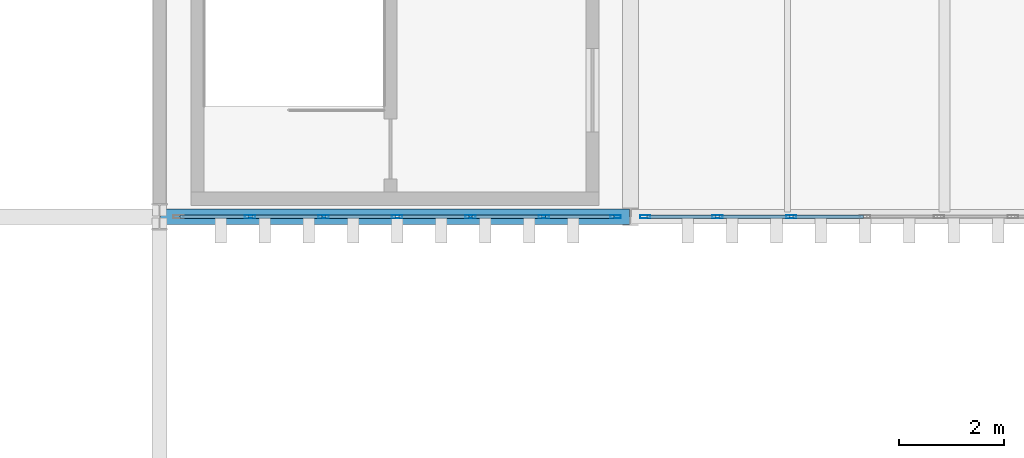
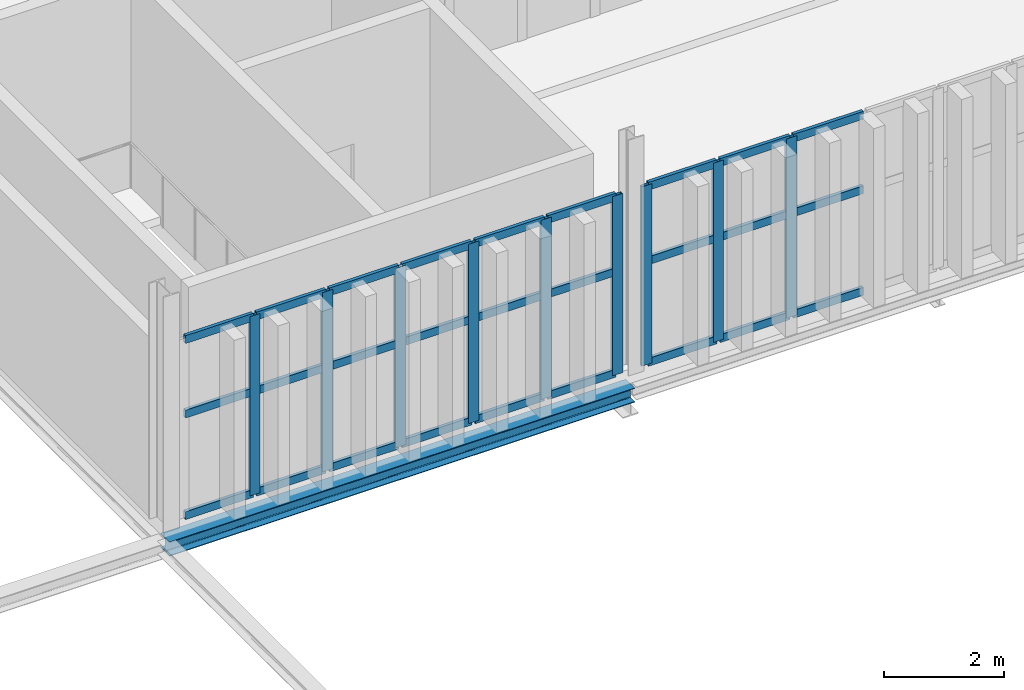
# One storey, part 27 of 196: 36 members, 1 beam, 2 elements without a shape of their own.
"""IFC4 building model written with IfcOpenShell, lengths in metres."""

from ifc_helpers import new_model, si_unit, direction, frame, origin, origin_2d, place, context, subcontext, project, spatial, hollow_rectangle, i_section, extrude, material, layer, layer_set, material_profile, profile_set, type_object, element, aggregate, save


model = new_model("IFC4")

# Units and contexts
model_context = context("Model", 3, precision=1e-05, world=origin(), true_north=direction((0.0, 1.0)))
body_context = subcontext(model_context, "Body", "Model", "MODEL_VIEW")
ifc_project = project(units=[si_unit("LENGTHUNIT", "METRE"), si_unit("AREAUNIT", "SQUARE_METRE"), si_unit("VOLUMEUNIT", "CUBIC_METRE"), si_unit("PLANEANGLEUNIT", "RADIAN"), si_unit("MASSUNIT", "GRAM", prefix="KILO")], contexts=[model_context])

# Site, building, storey
site_placement = place(None, origin())
site = spatial("IfcSite", under=ifc_project, at=site_placement, CompositionType="ELEMENT")
building_placement = place(site_placement, origin())
building = spatial("IfcBuilding", under=site, at=building_placement, Name="Barlavento Convention Centre", CompositionType="ELEMENT")
storey_placement = place(building_placement, frame((0.0, 0.0, 18.0)))
storey = spatial("IfcBuildingStorey", under=building, at=storey_placement, Name="L03", CompositionType="ELEMENT", Elevation=18.0)

# Curtain wall, members
ifc_material_1 = material(Name="Powder-coated aluminium and Low-E glass", Category="aluminium")
ifc_layer = layer(ifc_material_1, 0.179931640625)
ifc_layer_set = layer_set([ifc_layer], Name="ARC-CW-CONF-L03")
curtain_wall_type = type_object("IfcCurtainWallType", Name="ARC-CW-CONF-L03", PredefinedType="NOTDEFINED", material=ifc_layer_set)
curtain_wall_1_placement = place(storey_placement, origin())
curtain_wall_1 = element("IfcCurtainWall", 1, at=curtain_wall_1_placement, inside=storey, type_object=curtain_wall_type, Name="L03 unitised curtain wall CW08", PredefinedType="NOTDEFINED")
ifc_material_2 = material(Name="Powder-coated aluminium", Category="aluminium")
ifc_material_profile_1 = material_profile(ifc_material_2, hollow_rectangle(XDim=0.06494140625, YDim=0.199951171875, WallThickness=0.0048828125, at=origin_2d()), Name="AL-MULL 65x200x5")
ifc_profile_set_1 = profile_set([ifc_material_profile_1], Name="Powder-coated aluminium")
member_type_1 = type_object("IfcMemberType", Name="ARC-CWM-65X200", PredefinedType="MULLION", material=ifc_profile_set_1)
member_1_placement = place(storey_placement, frame((64.7333984375, 45.0, 0.0), z_axis=(0.0, 0.0, 1.0), x_axis=(0.0, 1.0, 0.0)))
member_1 = element("IfcMember", 2, at=member_1_placement, type_object=member_type_1, Name="CW08 mullion 2", PredefinedType="MULLION", context=body_context, shape_type="SweptSolid", body=[
    extrude(hollow_rectangle(XDim=0.06494140625, YDim=0.199951171875, WallThickness=0.0048828125, at=origin_2d()), origin(), (0.0, 0.0, 1.0), 3.64990234375),
])
member_2_placement = place(storey_placement, frame((66.13671875, 45.0, 0.0), z_axis=(0.0, 0.0, 1.0), x_axis=(0.0, 1.0, 0.0)))
member_2 = element("IfcMember", 3, at=member_2_placement, type_object=member_type_1, Name="CW08 mullion 3", PredefinedType="MULLION", context=body_context, shape_type="SweptSolid", body=[
    extrude(hollow_rectangle(XDim=0.06494140625, YDim=0.199951171875, WallThickness=0.0048828125, at=origin_2d()), origin(), (0.0, 0.0, 1.0), 3.64990234375),
])
member_3_placement = place(storey_placement, frame((67.5400390625, 45.0, 0.0), z_axis=(0.0, 0.0, 1.0), x_axis=(0.0, 1.0, 0.0)))
member_3 = element("IfcMember", 4, at=member_3_placement, type_object=member_type_1, Name="CW08 mullion 4", PredefinedType="MULLION", context=body_context, shape_type="SweptSolid", body=[
    extrude(hollow_rectangle(XDim=0.06494140625, YDim=0.199951171875, WallThickness=0.0048828125, at=origin_2d()), origin(), (0.0, 0.0, 1.0), 3.64990234375),
])
member_4_placement = place(storey_placement, frame((68.943359375, 45.0, 0.0), z_axis=(0.0, 0.0, 1.0), x_axis=(0.0, 1.0, 0.0)))
member_4 = element("IfcMember", 5, at=member_4_placement, type_object=member_type_1, Name="CW08 mullion 5", PredefinedType="MULLION", context=body_context, shape_type="SweptSolid", body=[
    extrude(hollow_rectangle(XDim=0.06494140625, YDim=0.199951171875, WallThickness=0.0048828125, at=origin_2d()), origin(), (0.0, 0.0, 1.0), 3.64990234375),
])
member_5_placement = place(storey_placement, frame((70.3466796875, 45.0, 0.0), z_axis=(0.0, 0.0, 1.0), x_axis=(0.0, 1.0, 0.0)))
member_5 = element("IfcMember", 6, at=member_5_placement, type_object=member_type_1, Name="CW08 mullion 6", PredefinedType="MULLION", context=body_context, shape_type="SweptSolid", body=[
    extrude(hollow_rectangle(XDim=0.06494140625, YDim=0.199951171875, WallThickness=0.0048828125, at=origin_2d()), origin(), (0.0, 0.0, 1.0), 3.64990234375),
])
member_6_placement = place(storey_placement, frame((71.717529296875, 45.0, 0.0), z_axis=(0.0, 0.0, 1.0), x_axis=(0.0, 1.0, 0.0)))
member_6 = element("IfcMember", 7, at=member_6_placement, type_object=member_type_1, Name="CW08 mullion 7", PredefinedType="MULLION", context=body_context, shape_type="SweptSolid", body=[
    extrude(hollow_rectangle(XDim=0.06494140625, YDim=0.199951171875, WallThickness=0.0048828125, at=origin_2d()), origin(), (0.0, 0.0, 1.0), 3.64990234375),
])

curtain_wall_2_placement = place(storey_placement, origin())
curtain_wall_2 = element("IfcCurtainWall", 8, at=curtain_wall_2_placement, inside=storey, type_object=curtain_wall_type, Name="L03 unitised curtain wall CW08", PredefinedType="NOTDEFINED")
member_7_placement = place(storey_placement, frame((72.282470703125, 45.0, 0.0), z_axis=(0.0, 0.0, 1.0), x_axis=(0.0, 1.0, 0.0)))
member_7 = element("IfcMember", 9, at=member_7_placement, type_object=member_type_1, Name="CW08 mullion 1", PredefinedType="MULLION", context=body_context, shape_type="SweptSolid", body=[
    extrude(hollow_rectangle(XDim=0.06494140625, YDim=0.199951171875, WallThickness=0.0048828125, at=origin_2d()), origin(), (0.0, 0.0, 1.0), 3.64990234375),
])
member_8_placement = place(storey_placement, frame((73.66162109375, 45.0, 0.0), z_axis=(0.0, 0.0, 1.0), x_axis=(0.0, 1.0, 0.0)))
member_8 = element("IfcMember", 10, at=member_8_placement, type_object=member_type_1, Name="CW08 mullion 2", PredefinedType="MULLION", context=body_context, shape_type="SweptSolid", body=[
    extrude(hollow_rectangle(XDim=0.06494140625, YDim=0.199951171875, WallThickness=0.0048828125, at=origin_2d()), origin(), (0.0, 0.0, 1.0), 3.64990234375),
])
member_9_placement = place(storey_placement, frame((75.0732421875, 45.0, 0.0), z_axis=(0.0, 0.0, 1.0), x_axis=(0.0, 1.0, 0.0)))
member_9 = element("IfcMember", 11, at=member_9_placement, type_object=member_type_1, Name="CW08 mullion 3", PredefinedType="MULLION", context=body_context, shape_type="SweptSolid", body=[
    extrude(hollow_rectangle(XDim=0.06494140625, YDim=0.199951171875, WallThickness=0.0048828125, at=origin_2d()), origin(), (0.0, 0.0, 1.0), 3.64990234375),
])

# Member
ifc_material_profile_2 = material_profile(ifc_material_2, hollow_rectangle(XDim=0.06494140625, YDim=0.159912109375, WallThickness=0.0048828125, at=origin_2d()), Name="AL-TRAN 65x160x5")
ifc_profile_set_2 = profile_set([ifc_material_profile_2], Name="Powder-coated aluminium")
member_type_2 = type_object("IfcMemberType", Name="ARC-CWT-65X160", PredefinedType="USERDEFINED", material=ifc_profile_set_2)
member_10_placement = place(storey_placement, frame((63.39501953125, 45.0, 0.032470703125), z_axis=(1.0, 0.0, 0.0), x_axis=(0.0, 1.0, 0.0)))
member_10 = element("IfcMember", 12, at=member_10_placement, type_object=member_type_2, Name="CW08 transom 1.1", ObjectType="TRANSOM", PredefinedType="USERDEFINED", context=body_context, shape_type="SweptSolid", body=[
    extrude(hollow_rectangle(XDim=0.06494140625, YDim=0.159912109375, WallThickness=0.0048828125, at=origin_2d()), origin(), (0.0, 0.0, 1.0), 1.305908203125),
])

member_11_placement = place(storey_placement, frame((63.39501953125, 45.0, 2.10009765625), z_axis=(1.0, 0.0, 0.0), x_axis=(0.0, 1.0, 0.0)))
member_11 = element("IfcMember", 13, at=member_11_placement, type_object=member_type_2, Name="CW08 transom 1.2", ObjectType="TRANSOM", PredefinedType="USERDEFINED", context=body_context, shape_type="SweptSolid", body=[
    extrude(hollow_rectangle(XDim=0.06494140625, YDim=0.159912109375, WallThickness=0.0048828125, at=origin_2d()), origin(), (0.0, 0.0, 1.0), 1.305908203125),
])

member_12_placement = place(storey_placement, frame((63.39501953125, 45.0, 3.617431640625), z_axis=(1.0, 0.0, 0.0), x_axis=(0.0, 1.0, 0.0)))
member_12 = element("IfcMember", 14, at=member_12_placement, type_object=member_type_2, Name="CW08 transom 1.3", ObjectType="TRANSOM", PredefinedType="USERDEFINED", context=body_context, shape_type="SweptSolid", body=[
    extrude(hollow_rectangle(XDim=0.06494140625, YDim=0.159912109375, WallThickness=0.0048828125, at=origin_2d()), origin(), (0.0, 0.0, 1.0), 1.305908203125),
])

member_13_placement = place(storey_placement, frame((64.765869140625, 45.0, 0.032470703125), z_axis=(1.0, 0.0, 0.0), x_axis=(0.0, 1.0, 0.0)))
member_13 = element("IfcMember", 15, at=member_13_placement, type_object=member_type_2, Name="CW08 transom 2.1", ObjectType="TRANSOM", PredefinedType="USERDEFINED", context=body_context, shape_type="SweptSolid", body=[
    extrude(hollow_rectangle(XDim=0.06494140625, YDim=0.159912109375, WallThickness=0.0048828125, at=origin_2d()), origin(), (0.0, 0.0, 1.0), 1.33837890625),
])

member_14_placement = place(storey_placement, frame((64.765869140625, 45.0, 2.10009765625), z_axis=(1.0, 0.0, 0.0), x_axis=(0.0, 1.0, 0.0)))
member_14 = element("IfcMember", 16, at=member_14_placement, type_object=member_type_2, Name="CW08 transom 2.2", ObjectType="TRANSOM", PredefinedType="USERDEFINED", context=body_context, shape_type="SweptSolid", body=[
    extrude(hollow_rectangle(XDim=0.06494140625, YDim=0.159912109375, WallThickness=0.0048828125, at=origin_2d()), origin(), (0.0, 0.0, 1.0), 1.33837890625),
])

member_15_placement = place(storey_placement, frame((64.765869140625, 45.0, 3.617431640625), z_axis=(1.0, 0.0, 0.0), x_axis=(0.0, 1.0, 0.0)))
member_15 = element("IfcMember", 17, at=member_15_placement, type_object=member_type_2, Name="CW08 transom 2.3", ObjectType="TRANSOM", PredefinedType="USERDEFINED", context=body_context, shape_type="SweptSolid", body=[
    extrude(hollow_rectangle(XDim=0.06494140625, YDim=0.159912109375, WallThickness=0.0048828125, at=origin_2d()), origin(), (0.0, 0.0, 1.0), 1.33837890625),
])

member_16_placement = place(storey_placement, frame((66.169189453125, 45.0, 0.032470703125), z_axis=(1.0, 0.0, 0.0), x_axis=(0.0, 1.0, 0.0)))
member_16 = element("IfcMember", 18, at=member_16_placement, type_object=member_type_2, Name="CW08 transom 3.1", ObjectType="TRANSOM", PredefinedType="USERDEFINED", context=body_context, shape_type="SweptSolid", body=[
    extrude(hollow_rectangle(XDim=0.06494140625, YDim=0.159912109375, WallThickness=0.0048828125, at=origin_2d()), origin(), (0.0, 0.0, 1.0), 1.33837890625),
])

member_17_placement = place(storey_placement, frame((66.169189453125, 45.0, 2.10009765625), z_axis=(1.0, 0.0, 0.0), x_axis=(0.0, 1.0, 0.0)))
member_17 = element("IfcMember", 19, at=member_17_placement, type_object=member_type_2, Name="CW08 transom 3.2", ObjectType="TRANSOM", PredefinedType="USERDEFINED", context=body_context, shape_type="SweptSolid", body=[
    extrude(hollow_rectangle(XDim=0.06494140625, YDim=0.159912109375, WallThickness=0.0048828125, at=origin_2d()), origin(), (0.0, 0.0, 1.0), 1.33837890625),
])

member_18_placement = place(storey_placement, frame((66.169189453125, 45.0, 3.617431640625), z_axis=(1.0, 0.0, 0.0), x_axis=(0.0, 1.0, 0.0)))
member_18 = element("IfcMember", 20, at=member_18_placement, type_object=member_type_2, Name="CW08 transom 3.3", ObjectType="TRANSOM", PredefinedType="USERDEFINED", context=body_context, shape_type="SweptSolid", body=[
    extrude(hollow_rectangle(XDim=0.06494140625, YDim=0.159912109375, WallThickness=0.0048828125, at=origin_2d()), origin(), (0.0, 0.0, 1.0), 1.33837890625),
])

member_19_placement = place(storey_placement, frame((67.572509765625, 45.0, 0.032470703125), z_axis=(1.0, 0.0, 0.0), x_axis=(0.0, 1.0, 0.0)))
member_19 = element("IfcMember", 21, at=member_19_placement, type_object=member_type_2, Name="CW08 transom 4.1", ObjectType="TRANSOM", PredefinedType="USERDEFINED", context=body_context, shape_type="SweptSolid", body=[
    extrude(hollow_rectangle(XDim=0.06494140625, YDim=0.159912109375, WallThickness=0.0048828125, at=origin_2d()), origin(), (0.0, 0.0, 1.0), 1.33837890625),
])

member_20_placement = place(storey_placement, frame((67.572509765625, 45.0, 2.10009765625), z_axis=(1.0, 0.0, 0.0), x_axis=(0.0, 1.0, 0.0)))
member_20 = element("IfcMember", 22, at=member_20_placement, type_object=member_type_2, Name="CW08 transom 4.2", ObjectType="TRANSOM", PredefinedType="USERDEFINED", context=body_context, shape_type="SweptSolid", body=[
    extrude(hollow_rectangle(XDim=0.06494140625, YDim=0.159912109375, WallThickness=0.0048828125, at=origin_2d()), origin(), (0.0, 0.0, 1.0), 1.33837890625),
])

member_21_placement = place(storey_placement, frame((67.572509765625, 45.0, 3.617431640625), z_axis=(1.0, 0.0, 0.0), x_axis=(0.0, 1.0, 0.0)))
member_21 = element("IfcMember", 23, at=member_21_placement, type_object=member_type_2, Name="CW08 transom 4.3", ObjectType="TRANSOM", PredefinedType="USERDEFINED", context=body_context, shape_type="SweptSolid", body=[
    extrude(hollow_rectangle(XDim=0.06494140625, YDim=0.159912109375, WallThickness=0.0048828125, at=origin_2d()), origin(), (0.0, 0.0, 1.0), 1.33837890625),
])

member_22_placement = place(storey_placement, frame((68.975830078125, 45.0, 0.032470703125), z_axis=(1.0, 0.0, 0.0), x_axis=(0.0, 1.0, 0.0)))
member_22 = element("IfcMember", 24, at=member_22_placement, type_object=member_type_2, Name="CW08 transom 5.1", ObjectType="TRANSOM", PredefinedType="USERDEFINED", context=body_context, shape_type="SweptSolid", body=[
    extrude(hollow_rectangle(XDim=0.06494140625, YDim=0.159912109375, WallThickness=0.0048828125, at=origin_2d()), origin(), (0.0, 0.0, 1.0), 1.33837890625),
])

member_23_placement = place(storey_placement, frame((68.975830078125, 45.0, 2.10009765625), z_axis=(1.0, 0.0, 0.0), x_axis=(0.0, 1.0, 0.0)))
member_23 = element("IfcMember", 25, at=member_23_placement, type_object=member_type_2, Name="CW08 transom 5.2", ObjectType="TRANSOM", PredefinedType="USERDEFINED", context=body_context, shape_type="SweptSolid", body=[
    extrude(hollow_rectangle(XDim=0.06494140625, YDim=0.159912109375, WallThickness=0.0048828125, at=origin_2d()), origin(), (0.0, 0.0, 1.0), 1.33837890625),
])

member_24_placement = place(storey_placement, frame((68.975830078125, 45.0, 3.617431640625), z_axis=(1.0, 0.0, 0.0), x_axis=(0.0, 1.0, 0.0)))
member_24 = element("IfcMember", 26, at=member_24_placement, type_object=member_type_2, Name="CW08 transom 5.3", ObjectType="TRANSOM", PredefinedType="USERDEFINED", context=body_context, shape_type="SweptSolid", body=[
    extrude(hollow_rectangle(XDim=0.06494140625, YDim=0.159912109375, WallThickness=0.0048828125, at=origin_2d()), origin(), (0.0, 0.0, 1.0), 1.33837890625),
])

member_25_placement = place(storey_placement, frame((70.379150390625, 45.0, 0.032470703125), z_axis=(1.0, 0.0, 0.0), x_axis=(0.0, 1.0, 0.0)))
member_25 = element("IfcMember", 27, at=member_25_placement, type_object=member_type_2, Name="CW08 transom 6.1", ObjectType="TRANSOM", PredefinedType="USERDEFINED", context=body_context, shape_type="SweptSolid", body=[
    extrude(hollow_rectangle(XDim=0.06494140625, YDim=0.159912109375, WallThickness=0.0048828125, at=origin_2d()), origin(), (0.0, 0.0, 1.0), 1.305908203125),
])

member_26_placement = place(storey_placement, frame((70.379150390625, 45.0, 2.10009765625), z_axis=(1.0, 0.0, 0.0), x_axis=(0.0, 1.0, 0.0)))
member_26 = element("IfcMember", 28, at=member_26_placement, type_object=member_type_2, Name="CW08 transom 6.2", ObjectType="TRANSOM", PredefinedType="USERDEFINED", context=body_context, shape_type="SweptSolid", body=[
    extrude(hollow_rectangle(XDim=0.06494140625, YDim=0.159912109375, WallThickness=0.0048828125, at=origin_2d()), origin(), (0.0, 0.0, 1.0), 1.305908203125),
])

member_27_placement = place(storey_placement, frame((70.379150390625, 45.0, 3.617431640625), z_axis=(1.0, 0.0, 0.0), x_axis=(0.0, 1.0, 0.0)))
member_27 = element("IfcMember", 29, at=member_27_placement, type_object=member_type_2, Name="CW08 transom 6.3", ObjectType="TRANSOM", PredefinedType="USERDEFINED", context=body_context, shape_type="SweptSolid", body=[
    extrude(hollow_rectangle(XDim=0.06494140625, YDim=0.159912109375, WallThickness=0.0048828125, at=origin_2d()), origin(), (0.0, 0.0, 1.0), 1.305908203125),
])

aggregate(curtain_wall_1, [member_1, member_2, member_3, member_4, member_5, member_6, member_10, member_11, member_12, member_13, member_14, member_15, member_16, member_17, member_18, member_19, member_20, member_21, member_22, member_23, member_24, member_25, member_26, member_27])

member_28_placement = place(storey_placement, frame((72.31494140625, 45.0, 0.032470703125), z_axis=(1.0, 0.0, 0.0), x_axis=(0.0, 1.0, 0.0)))
member_28 = element("IfcMember", 30, at=member_28_placement, type_object=member_type_2, Name="CW08 transom 1.1", ObjectType="TRANSOM", PredefinedType="USERDEFINED", context=body_context, shape_type="SweptSolid", body=[
    extrude(hollow_rectangle(XDim=0.06494140625, YDim=0.159912109375, WallThickness=0.0048828125, at=origin_2d()), origin(), (0.0, 0.0, 1.0), 1.314208984375),
])

member_29_placement = place(storey_placement, frame((72.31494140625, 45.0, 2.10009765625), z_axis=(1.0, 0.0, 0.0), x_axis=(0.0, 1.0, 0.0)))
member_29 = element("IfcMember", 31, at=member_29_placement, type_object=member_type_2, Name="CW08 transom 1.2", ObjectType="TRANSOM", PredefinedType="USERDEFINED", context=body_context, shape_type="SweptSolid", body=[
    extrude(hollow_rectangle(XDim=0.06494140625, YDim=0.159912109375, WallThickness=0.0048828125, at=origin_2d()), origin(), (0.0, 0.0, 1.0), 1.314208984375),
])

member_30_placement = place(storey_placement, frame((72.31494140625, 45.0, 3.617431640625), z_axis=(1.0, 0.0, 0.0), x_axis=(0.0, 1.0, 0.0)))
member_30 = element("IfcMember", 32, at=member_30_placement, type_object=member_type_2, Name="CW08 transom 1.3", ObjectType="TRANSOM", PredefinedType="USERDEFINED", context=body_context, shape_type="SweptSolid", body=[
    extrude(hollow_rectangle(XDim=0.06494140625, YDim=0.159912109375, WallThickness=0.0048828125, at=origin_2d()), origin(), (0.0, 0.0, 1.0), 1.314208984375),
])

member_31_placement = place(storey_placement, frame((73.694091796875, 45.0, 0.032470703125), z_axis=(1.0, 0.0, 0.0), x_axis=(0.0, 1.0, 0.0)))
member_31 = element("IfcMember", 33, at=member_31_placement, type_object=member_type_2, Name="CW08 transom 2.1", ObjectType="TRANSOM", PredefinedType="USERDEFINED", context=body_context, shape_type="SweptSolid", body=[
    extrude(hollow_rectangle(XDim=0.06494140625, YDim=0.159912109375, WallThickness=0.0048828125, at=origin_2d()), origin(), (0.0, 0.0, 1.0), 1.3466796875),
])

member_32_placement = place(storey_placement, frame((73.694091796875, 45.0, 2.10009765625), z_axis=(1.0, 0.0, 0.0), x_axis=(0.0, 1.0, 0.0)))
member_32 = element("IfcMember", 34, at=member_32_placement, type_object=member_type_2, Name="CW08 transom 2.2", ObjectType="TRANSOM", PredefinedType="USERDEFINED", context=body_context, shape_type="SweptSolid", body=[
    extrude(hollow_rectangle(XDim=0.06494140625, YDim=0.159912109375, WallThickness=0.0048828125, at=origin_2d()), origin(), (0.0, 0.0, 1.0), 1.3466796875),
])

member_33_placement = place(storey_placement, frame((73.694091796875, 45.0, 3.617431640625), z_axis=(1.0, 0.0, 0.0), x_axis=(0.0, 1.0, 0.0)))
member_33 = element("IfcMember", 35, at=member_33_placement, type_object=member_type_2, Name="CW08 transom 2.3", ObjectType="TRANSOM", PredefinedType="USERDEFINED", context=body_context, shape_type="SweptSolid", body=[
    extrude(hollow_rectangle(XDim=0.06494140625, YDim=0.159912109375, WallThickness=0.0048828125, at=origin_2d()), origin(), (0.0, 0.0, 1.0), 1.3466796875),
])

member_34_placement = place(storey_placement, frame((75.105712890625, 45.0, 0.032470703125), z_axis=(1.0, 0.0, 0.0), x_axis=(0.0, 1.0, 0.0)))
member_34 = element("IfcMember", 36, at=member_34_placement, type_object=member_type_2, Name="CW08 transom 3.1", ObjectType="TRANSOM", PredefinedType="USERDEFINED", context=body_context, shape_type="SweptSolid", body=[
    extrude(hollow_rectangle(XDim=0.06494140625, YDim=0.159912109375, WallThickness=0.0048828125, at=origin_2d()), origin(), (0.0, 0.0, 1.0), 1.3466796875),
])

member_35_placement = place(storey_placement, frame((75.105712890625, 45.0, 2.10009765625), z_axis=(1.0, 0.0, 0.0), x_axis=(0.0, 1.0, 0.0)))
member_35 = element("IfcMember", 37, at=member_35_placement, type_object=member_type_2, Name="CW08 transom 3.2", ObjectType="TRANSOM", PredefinedType="USERDEFINED", context=body_context, shape_type="SweptSolid", body=[
    extrude(hollow_rectangle(XDim=0.06494140625, YDim=0.159912109375, WallThickness=0.0048828125, at=origin_2d()), origin(), (0.0, 0.0, 1.0), 1.3466796875),
])

member_36_placement = place(storey_placement, frame((75.105712890625, 45.0, 3.617431640625), z_axis=(1.0, 0.0, 0.0), x_axis=(0.0, 1.0, 0.0)))
member_36 = element("IfcMember", 38, at=member_36_placement, type_object=member_type_2, Name="CW08 transom 3.3", ObjectType="TRANSOM", PredefinedType="USERDEFINED", context=body_context, shape_type="SweptSolid", body=[
    extrude(hollow_rectangle(XDim=0.06494140625, YDim=0.159912109375, WallThickness=0.0048828125, at=origin_2d()), origin(), (0.0, 0.0, 1.0), 1.3466796875),
])

aggregate(curtain_wall_2, [member_7, member_8, member_9, member_28, member_29, member_30, member_31, member_32, member_33, member_34, member_35, member_36])

# Beam
ifc_material_3 = material(Name="Steel S355", Category="steel")
ifc_material_profile_3 = material_profile(ifc_material_3, i_section(OverallWidth=0.300048828125, OverallDepth=0.2900390625, WebThickness=0.008544921875, FlangeThickness=0.013916015625, FilletRadius=0.027099609375, at=origin_2d()), Name="HEA 300")
ifc_profile_set_3 = profile_set([ifc_material_profile_3], Name="Steel S355")
beam_type = type_object("IfcBeamType", Name="STR-BM-SPN-HEA300", PredefinedType="SPANDREL", material=ifc_profile_set_3)
beam_placement = place(storey_placement, frame((63.02001953125, 45.0, -0.445068359375), z_axis=(1.0, 0.0, 0.0), x_axis=(0.0, 1.0, 0.0)))
element("IfcBeam", 39, at=beam_placement, inside=storey, type_object=beam_type, Name="L03 primary girder SP02", PredefinedType="SPANDREL", context=body_context, shape_type="SweptSolid", body=[
    extrude(i_section(OverallWidth=0.300048828125, OverallDepth=0.2900390625, WebThickness=0.008544921875, FlangeThickness=0.013916015625, FilletRadius=0.027099609375, at=origin_2d()), origin(), (0.0, 0.0, 1.0), 8.9599609375),
])

save(model, "model.ifc")
